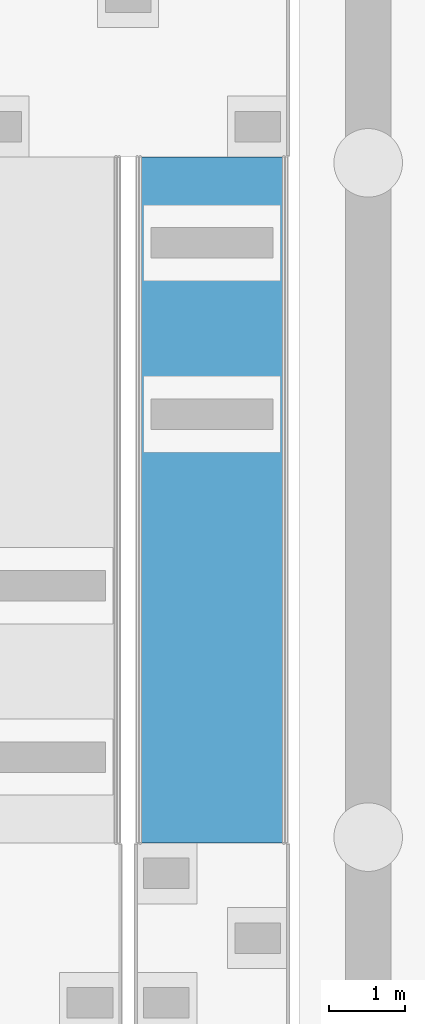
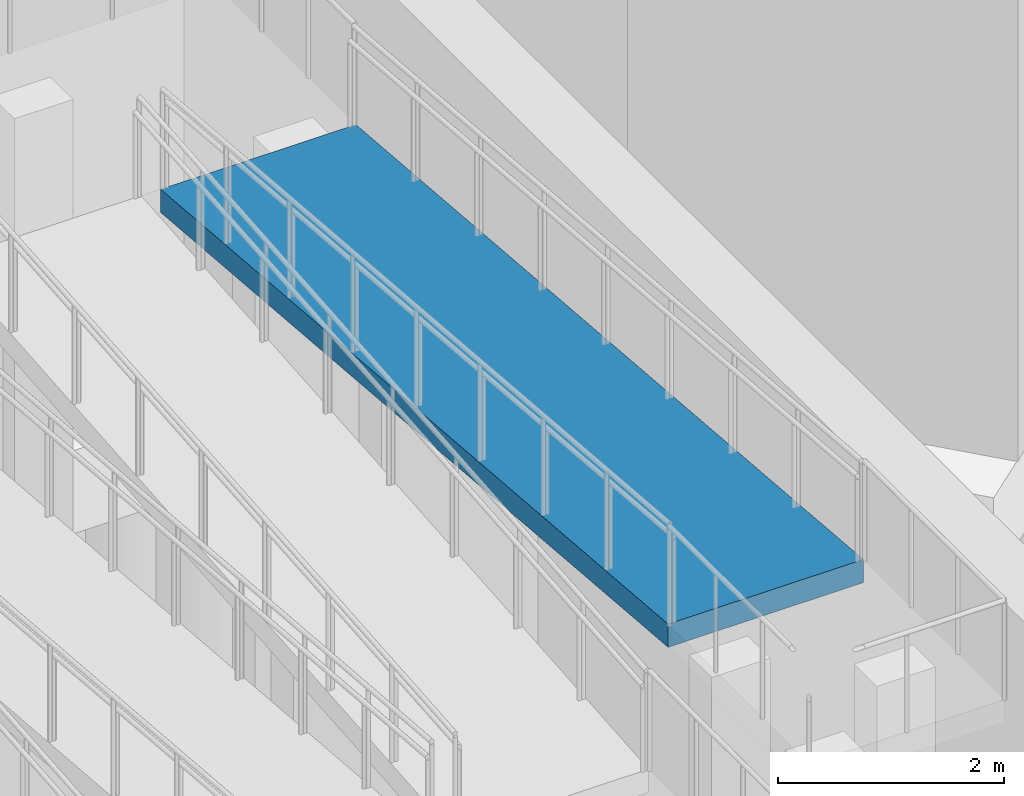
# One storey, part 34 of 66: 1 ramp flight, 1 element without a shape of its own.
"""IFC4 building model written with IfcOpenShell, lengths in metres."""

from ifc_helpers import new_model, si_unit, direction, frame, origin, place, context, subcontext, project, spatial, polyline, outline, extrude, material, type_object, element, aggregate, save


model = new_model("IFC4")

# Units and contexts
model_context = context("Model", 3, precision=1e-05, world=origin(), true_north=direction((0.0, 1.0)))
body_context = subcontext(model_context, "Body", "Model", "MODEL_VIEW")
ifc_project = project(units=[si_unit("LENGTHUNIT", "METRE"), si_unit("AREAUNIT", "SQUARE_METRE"), si_unit("VOLUMEUNIT", "CUBIC_METRE"), si_unit("PLANEANGLEUNIT", "RADIAN"), si_unit("MASSUNIT", "GRAM", prefix="KILO")], contexts=[model_context])

# Site, building, storey
site_placement = place(None, origin())
site = spatial("IfcSite", under=ifc_project, at=site_placement, CompositionType="ELEMENT")
building_placement = place(site_placement, origin())
building = spatial("IfcBuilding", under=site, at=building_placement, Name="Lunette Opera House", CompositionType="ELEMENT")
storey_placement = place(building_placement, frame((0.0, 0.0, -6.0)))
storey = spatial("IfcBuildingStorey", under=building, at=storey_placement, Name="B1", CompositionType="ELEMENT", Elevation=-6.0)

# Ramp, ramp flight
ifc_material_1 = material(Name="Concrete C35/45", Category="concrete")
ramp_type = type_object("IfcRampType", Name="FORECOURT RAMP 2000", PredefinedType="STRAIGHT_RUN_RAMP", material=ifc_material_1)
ramp_placement = place(storey_placement, origin())
ramp = element("IfcRamp", 1, at=ramp_placement, inside=storey, type_object=ramp_type, Name="Forecourt ramp FR8", PredefinedType="STRAIGHT_RUN_RAMP")
ifc_material_2 = material(Name="Concrete C35/45", Category="concrete")
ramp_flight_type = type_object("IfcRampFlightType", Name="FORECOURT RAMP FLIGHT 2000", PredefinedType="STRAIGHT", material=ifc_material_2)
ramp_flight_placement = place(storey_placement, frame((128.39990234375, 34.0, 5.25), z_axis=(0.0, 0.0, 1.0), x_axis=(0.0, -1.0, 0.0)))
ramp_flight = element("IfcRampFlight", 2, at=ramp_flight_placement, type_object=ramp_flight_type, Name="Forecourt ramp FR8 flight", PredefinedType="STRAIGHT", context=body_context, shape_type="SweptSolid", body=[
    extrude(outline(polyline([(0.0, 0.0), (9.0, 0.75), (9.0, 0.4990234375), (0.0, -0.2509765625), (0.0, 0.0)])), frame((0.0, 1.0, 0.0), z_axis=(0.0, -1.0, 0.0), x_axis=(1.0, 0.0, 0.0)), (0.0, 0.0, 1.0), 2.0),
])
aggregate(ramp, [ramp_flight])

save(model, "model.ifc")
